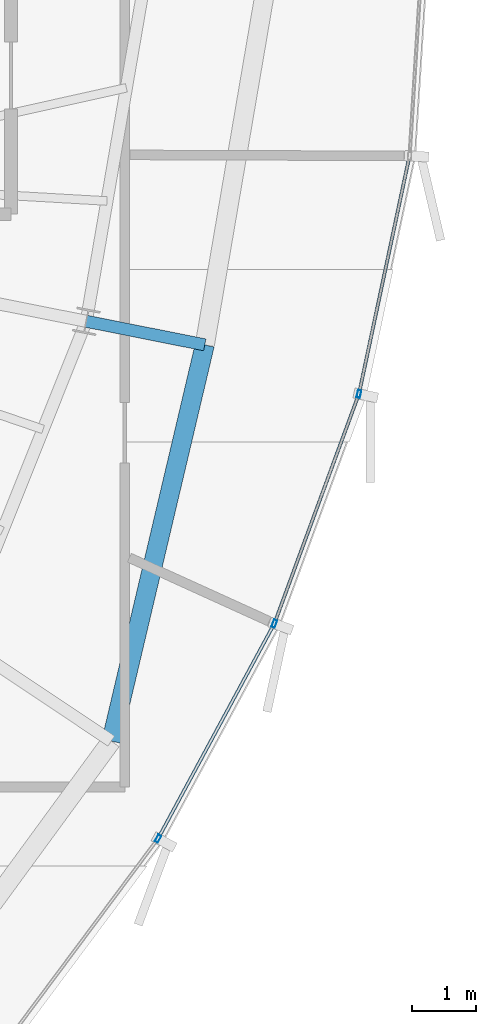
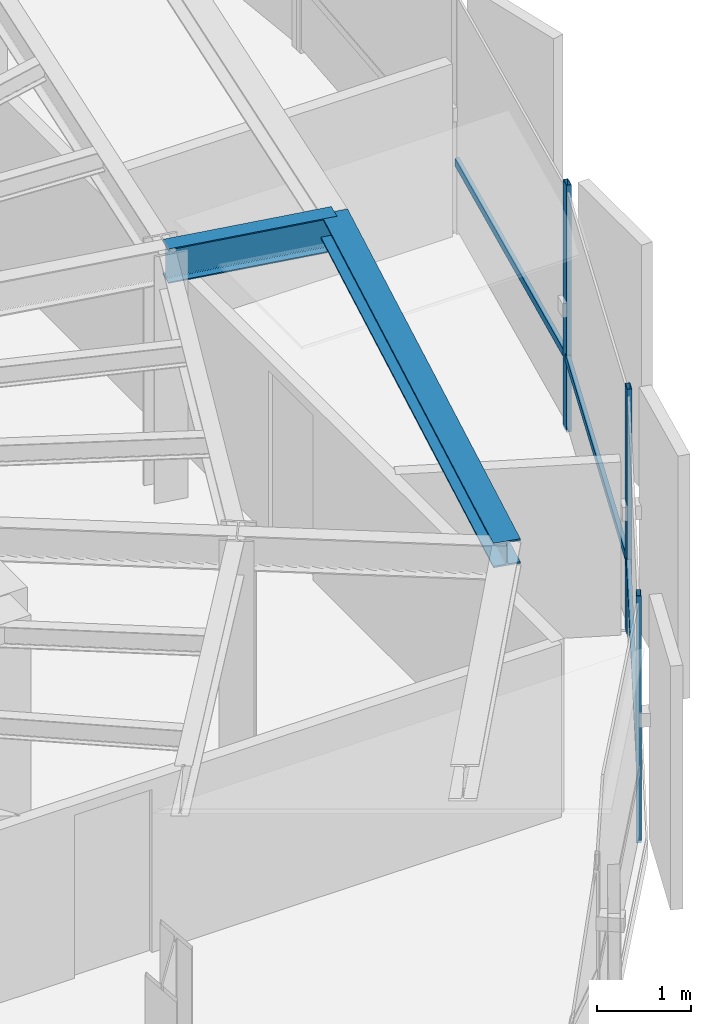
# One storey, part 13 of 30: 6 members, 2 beams, 1 element without a shape of its own.
"""IFC4 building model written with IfcOpenShell, lengths in metres."""

from ifc_helpers import new_model, si_unit, direction, frame, origin, origin_2d, place, context, subcontext, project, spatial, hollow_rectangle, i_section, extrude, source, transform, mapped, material, layer, layer_set, material_profile, profile_set, type_object, element, aggregate, save


model = new_model("IFC4")

# Units and contexts
model_context = context("Model", 3, precision=1e-05, world=origin(), true_north=direction((0.0, 1.0)))
body_context = subcontext(model_context, "Body", "Model", "MODEL_VIEW")
ifc_project = project(units=[si_unit("LENGTHUNIT", "METRE"), si_unit("AREAUNIT", "SQUARE_METRE"), si_unit("VOLUMEUNIT", "CUBIC_METRE"), si_unit("PLANEANGLEUNIT", "RADIAN"), si_unit("MASSUNIT", "GRAM", prefix="KILO"), si_unit("THERMODYNAMICTEMPERATUREUNIT", "KELVIN")], contexts=[model_context])

# Site, building, storey
site_placement = place(None, origin())
site = spatial("IfcSite", under=ifc_project, at=site_placement, CompositionType="ELEMENT")
building_placement = place(site_placement, origin())
building = spatial("IfcBuilding", under=site, at=building_placement, Name="Kethvar Cultural Tower", CompositionType="ELEMENT")
storey_placement = place(building_placement, frame((0.0, 0.0, 297.39990234375)))
storey = spatial("IfcBuildingStorey", under=building, at=storey_placement, Name="L79", CompositionType="ELEMENT", Elevation=297.39990234375)

# Beams
ifc_material_1 = material(Name="Steel S355J2", Category="steel")
ifc_material_profile_1 = material_profile(ifc_material_1, i_section(OverallWidth=0.18994140625, OverallDepth=0.449951171875, WebThickness=0.009521484375, FlangeThickness=0.0146484375, FilletRadius=0.02099609375, at=origin_2d()), Name="Steel S355J2 — IPE450")
ifc_profile_set_1 = profile_set([ifc_material_profile_1], Name="Steel S355J2 — IPE450")
beam_type_1 = type_object("IfcBeamType", Name="BM-IPE450", PredefinedType="BEAM", material=ifc_profile_set_1)
shared_shape_1 = source(origin(), body_context, "Body", "SweptSolid", [
    extrude(i_section(OverallWidth=0.18994140625, OverallDepth=0.449951171875, WebThickness=0.009521484375, FlangeThickness=0.0146484375, FilletRadius=0.02099609375, at=origin_2d()), origin(), (0.0, 0.0, 1.0), 1.896484375),
])
beam_1_placement = place(storey_placement, frame((60.28369140625, 25.117919921875, 2.983154296875), z_axis=(0.98079792237, -0.195026755793, 0.0), x_axis=(0.195026755793, 0.98079792237, 0.0)))
element("IfcBeam", 1, at=beam_1_placement, inside=storey, type_object=beam_type_1, Name="L79 Perimeter Cantilever Beam RC-16", PredefinedType="BEAM", context=body_context, shape_type="MappedRepresentation", body=[
    mapped(shared_shape_1, transform((0.0, 0.0, 0.0), scale=1.0)),
])
ifc_material_profile_2 = material_profile(ifc_material_1, i_section(OverallWidth=0.300048828125, OverallDepth=0.320068359375, WebThickness=0.011474609375, FlangeThickness=0.0205078125, FilletRadius=0.027099609375, at=origin_2d()), Name="Steel S355J2 — HEB320")
ifc_profile_set_2 = profile_set([ifc_material_profile_2], Name="Steel S355J2 — HEB320")
beam_type_2 = type_object("IfcBeamType", Name="BM-SP320", PredefinedType="SPANDREL", material=ifc_profile_set_2)
shared_shape_2 = source(origin(), body_context, "Body", "SweptSolid", [
    extrude(i_section(OverallWidth=0.300048828125, OverallDepth=0.320068359375, WebThickness=0.011474609375, FlangeThickness=0.0205078125, FilletRadius=0.027099609375, at=origin_2d()), origin(), (0.0, 0.0, 1.0), 6.390625),
])
beam_2_placement = place(storey_placement, frame((60.676513671875, 18.528076171875, 3.048095703125), z_axis=(0.229597178236, 0.973285742085, 0.0), x_axis=(-0.973285742085, 0.229597178236, 0.0)))
element("IfcBeam", 2, at=beam_2_placement, inside=storey, type_object=beam_type_2, Name="L79 Perimeter Spandrel Beam SP-15", PredefinedType="SPANDREL", context=body_context, shape_type="MappedRepresentation", body=[
    mapped(shared_shape_2, transform((0.0, 0.0, 0.0), scale=1.0)),
])

# Curtain wall, members
ifc_material_2 = material(Name="Aluminium 6063-T6", Category="aluminium")
ifc_layer = layer(ifc_material_2, 0.179931640625, Name="Aluminium 6063-T6", Category="aluminium")
ifc_layer_set = layer_set([ifc_layer], Name="Aluminium 6063-T6 (180 mm)")
curtain_wall_type = type_object("IfcCurtainWallType", Name="CW-SYS-05-Z56", PredefinedType="NOTDEFINED", material=ifc_layer_set)
curtain_wall_placement = place(storey_placement, origin())
curtain_wall = element("IfcCurtainWall", 3, at=curtain_wall_placement, inside=storey, type_object=curtain_wall_type, Name="L79 Curtain Wall Run 05", PredefinedType="NOTDEFINED")
ifc_material_profile_3 = material_profile(ifc_material_2, hollow_rectangle(XDim=0.054931640625, YDim=0.1201171875, WallThickness=0.00390625, at=origin_2d()), Name="Aluminium 6063-T6 — RHS120x55x4")
ifc_profile_set_3 = profile_set([ifc_material_profile_3], Name="Aluminium 6063-T6 — RHS120x55x4")
member_type_1 = type_object("IfcMemberType", Name="CW-SYS-05-Z56-MUL", PredefinedType="MULLION", material=ifc_profile_set_3)
shared_shape_3 = source(origin(), body_context, "Body", "SweptSolid", [
    extrude(hollow_rectangle(XDim=0.054931640625, YDim=0.1201171875, WallThickness=0.00390625, at=origin_2d()), origin(), (0.0, 0.0, 1.0), 3.210205078125),
])
member_1_placement = place(storey_placement, frame((61.409912109375, 16.99609375, 0.0), z_axis=(0.0, 0.0, 1.0), x_axis=(-0.879631969914, 0.475654914308, 0.0)))
member_1 = element("IfcMember", 4, at=member_1_placement, type_object=member_type_1, Name="CW-L79-R05 Mullion 3", PredefinedType="MULLION", context=body_context, shape_type="MappedRepresentation", body=[
    mapped(shared_shape_3, transform((0.0, 0.0, 0.0), scale=1.0)),
])
member_2_placement = place(storey_placement, frame((63.236083984375, 20.37109375, 0.0), z_axis=(0.0, 0.0, 1.0), x_axis=(-0.938474941702, 0.345347337905, 0.0)))
member_2 = element("IfcMember", 5, at=member_2_placement, type_object=member_type_1, Name="CW-L79-R05 Mullion 4", PredefinedType="MULLION", context=body_context, shape_type="MappedRepresentation", body=[
    mapped(shared_shape_3, transform((0.0, 0.0, 0.0), scale=1.0)),
])
member_3_placement = place(storey_placement, frame((64.56396484375, 23.976806640625, 0.0), z_axis=(0.0, 0.0, 1.0), x_axis=(-0.978209246318, 0.207621459435, 0.0)))
member_3 = element("IfcMember", 6, at=member_3_placement, type_object=member_type_1, Name="CW-L79-R05 Mullion 5", PredefinedType="MULLION", context=body_context, shape_type="MappedRepresentation", body=[
    mapped(shared_shape_3, transform((0.0, 0.0, 0.0), scale=1.0)),
])
ifc_material_profile_4 = material_profile(ifc_material_2, hollow_rectangle(XDim=0.050048828125, YDim=0.10009765625, WallThickness=0.00390625, at=origin_2d()), Name="Aluminium 6063-T6 — RHS100x50x4")
ifc_profile_set_4 = profile_set([ifc_material_profile_4], Name="Aluminium 6063-T6 — RHS100x50x4")
member_type_2 = type_object("IfcMemberType", Name="CW-SYS-05-Z56-TRN", PredefinedType="USERDEFINED", material=ifc_profile_set_4)
shared_shape_4 = source(origin(), body_context, "Body", "SweptSolid", [
    extrude(hollow_rectangle(XDim=0.050048828125, YDim=0.10009765625, WallThickness=0.00390625, at=origin_2d()), origin(), (0.0, 0.0, 1.0), 3.777587890625),
])
member_4_placement = place(storey_placement, frame((63.249755859375, 20.408203125, 0.9501953125), z_axis=(0.34531597511, 0.938486482233, 0.0), x_axis=(-0.938486482233, 0.34531597511, 0.0)))
member_4 = element("IfcMember", 7, at=member_4_placement, type_object=member_type_2, Name="CW-L79-R05 Transom 4", ObjectType="TRANSOM", PredefinedType="USERDEFINED", context=body_context, shape_type="MappedRepresentation", body=[
    mapped(shared_shape_4, transform((0.0, 0.0, 0.0), scale=1.0)),
])
shared_shape_5 = source(origin(), body_context, "Body", "SweptSolid", [
    extrude(hollow_rectangle(XDim=0.050048828125, YDim=0.10009765625, WallThickness=0.00390625, at=origin_2d()), origin(), (0.0, 0.0, 1.0), 3.7724609375),
])
member_5_placement = place(storey_placement, frame((61.4287109375, 17.03076171875, 0.9501953125), z_axis=(0.475665922953, 0.879626016976, 0.0), x_axis=(-0.879626016976, 0.475665922953, 0.0)))
member_5 = element("IfcMember", 8, at=member_5_placement, type_object=member_type_2, Name="CW-L79-R05 Transom 3", ObjectType="TRANSOM", PredefinedType="USERDEFINED", context=body_context, shape_type="MappedRepresentation", body=[
    mapped(shared_shape_5, transform((0.0, 0.0, 0.0), scale=1.0)),
])
shared_shape_6 = source(origin(), body_context, "Body", "SweptSolid", [
    extrude(hollow_rectangle(XDim=0.050048828125, YDim=0.10009765625, WallThickness=0.00390625, at=origin_2d()), origin(), (0.0, 0.0, 1.0), 3.75634765625),
])
member_6_placement = place(storey_placement, frame((64.572265625, 24.015380859375, 0.9501953125), z_axis=(0.20765121026, 0.978202931338, 0.0), x_axis=(-0.978202931338, 0.20765121026, 0.0)))
member_6 = element("IfcMember", 9, at=member_6_placement, type_object=member_type_2, Name="CW-L79-R05 Transom 5", ObjectType="TRANSOM", PredefinedType="USERDEFINED", context=body_context, shape_type="MappedRepresentation", body=[
    mapped(shared_shape_6, transform((0.0, 0.0, 0.0), scale=1.0)),
])
aggregate(curtain_wall, [member_1, member_2, member_3, member_5, member_4, member_6])

save(model, "model.ifc")
